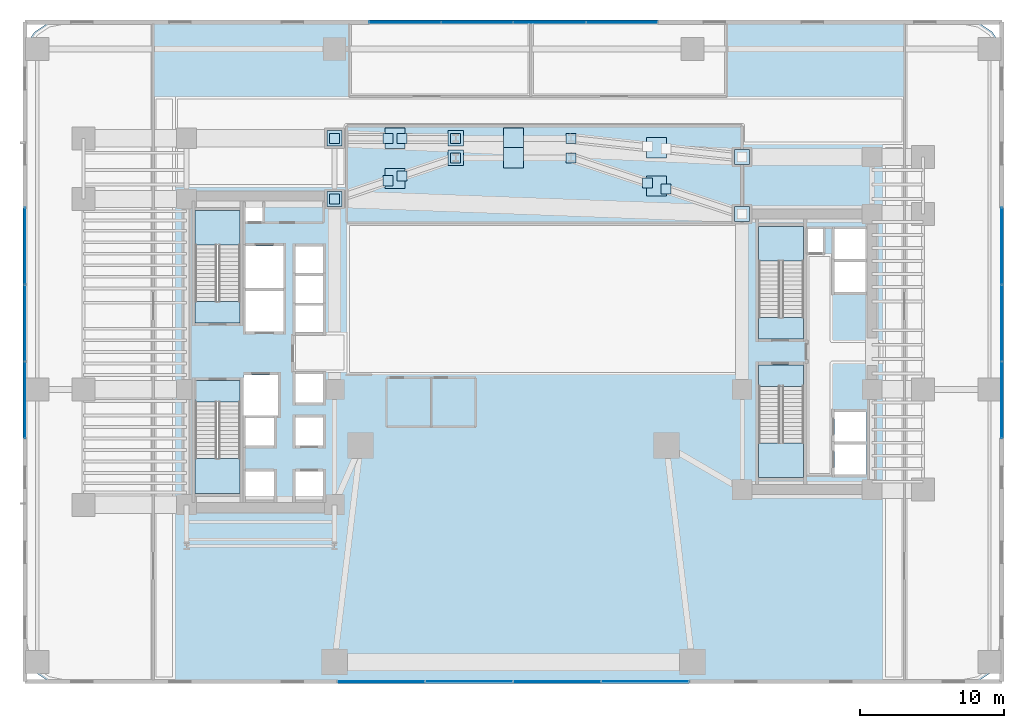
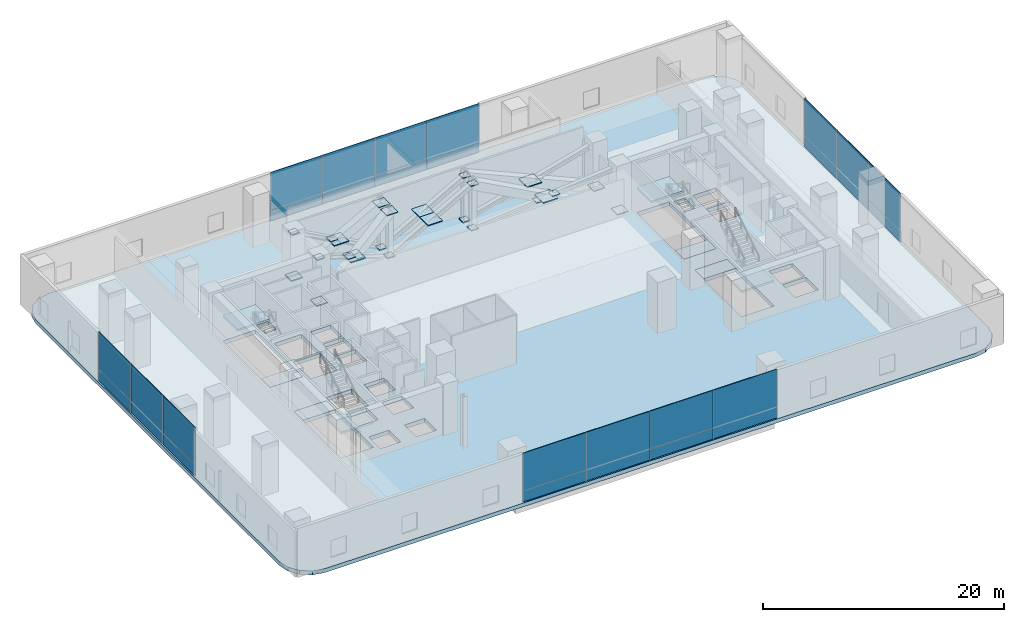
# One storey, part 25 of 41: 48 plates, 9 slabs, 8 elements without a shape of their own.
"""IFC4 building model written with IfcOpenShell, lengths in metres."""

from ifc_helpers import new_model, si_unit, direction, frame, origin, origin_2d, place, context, subcontext, project, spatial, polyline, rectangle, outline, extrude, source, transform, mapped, material, layer, layer_set, type_object, element, aggregate, save


model = new_model("IFC4")

# Units and contexts
model_context = context("Model", 3, precision=1e-05, world=origin(), true_north=direction((0.0, 1.0)))
body_context = subcontext(model_context, "Body", "Model", "MODEL_VIEW")
ifc_project = project(units=[si_unit("LENGTHUNIT", "METRE"), si_unit("AREAUNIT", "SQUARE_METRE"), si_unit("VOLUMEUNIT", "CUBIC_METRE"), si_unit("PLANEANGLEUNIT", "RADIAN"), si_unit("MASSUNIT", "GRAM", prefix="KILO")], contexts=[model_context])

# Site, building, storey
site_placement = place(None, origin())
site = spatial("IfcSite", under=ifc_project, at=site_placement, CompositionType="ELEMENT")
building_placement = place(site_placement, origin())
building = spatial("IfcBuilding", under=site, at=building_placement, Name="Valdorenza Pilgrim Sanctuary Tower", CompositionType="ELEMENT")
storey_placement = place(building_placement, frame((0.0, 0.0, 20.800048828125)))
storey = spatial("IfcBuildingStorey", under=building, at=storey_placement, Name="L04", CompositionType="ELEMENT", Elevation=20.800048828125)

# Stair, slab
ifc_material_1 = material(Name="Concrete C40/50", Category="concrete")
stair_type = type_object("IfcStairType", Name="STR-DOG-CORE", PredefinedType="HALF_TURN_STAIR", material=ifc_material_1)
stair_1_placement = place(storey_placement, origin())
stair_1 = element("IfcStair", 1, at=stair_1_placement, inside=storey, type_object=stair_type, Name="L04 ST-A1", PredefinedType="HALF_TURN_STAIR")
ifc_layer_1 = layer(ifc_material_1, 0.199951171875, Name="Concrete C40/50")
ifc_layer_set_1 = layer_set([ifc_layer_1], Name="Concrete C40/50")
slab_type_1 = type_object("IfcSlabType", Name="SLAB-STL-200", PredefinedType="LANDING", material=ifc_layer_set_1)
slab_1_placement = place(storey_placement, frame((0.0, 0.0, 2.39990234375)))
slab_1 = element("IfcSlab", 2, at=slab_1_placement, type_object=slab_type_1, Name="ST-A1 landing 1", PredefinedType="LANDING", context=body_context, shape_type="SweptSolid", body=[
    extrude(outline(polyline([(-18.93994140625, 7.39990234375), (-18.93994140625, 9.800048828125), (-22.050048828125, 9.800048828125), (-22.050048828125, 7.39990234375), (-18.93994140625, 7.39990234375)])), origin(), (0.0, 0.0, 1.0), 0.199951171875),
])
aggregate(stair_1, [slab_1])

stair_2_placement = place(storey_placement, origin())
stair_2 = element("IfcStair", 3, at=stair_2_placement, inside=storey, type_object=stair_type, Name="L04 ST-A2", PredefinedType="HALF_TURN_STAIR")
slab_2_placement = place(storey_placement, frame((0.0, 0.0, 2.39990234375)))
slab_2 = element("IfcSlab", 4, at=slab_2_placement, type_object=slab_type_1, Name="ST-A2 landing 1", PredefinedType="LANDING", context=body_context, shape_type="SweptSolid", body=[
    extrude(outline(polyline([(-22.050048828125, -7.39990234375), (-22.050048828125, -9.800048828125), (-18.93994140625, -9.800048828125), (-18.93994140625, -7.39990234375), (-22.050048828125, -7.39990234375)])), origin(), (0.0, 0.0, 1.0), 0.199951171875),
])
aggregate(stair_2, [slab_2])

stair_3_placement = place(storey_placement, origin())
stair_3 = element("IfcStair", 5, at=stair_3_placement, inside=storey, type_object=stair_type, Name="L04 ST-B1", PredefinedType="HALF_TURN_STAIR")
slab_3_placement = place(storey_placement, frame((0.0, 0.0, 2.39990234375)))
slab_3 = element("IfcSlab", 6, at=slab_3_placement, type_object=slab_type_1, Name="ST-B1 landing 1", PredefinedType="LANDING", context=body_context, shape_type="SweptSolid", body=[
    extrude(outline(polyline([(20.110107421875, 6.300048828125), (20.110107421875, 8.699951171875), (17.0, 8.699951171875), (17.0, 6.300048828125), (20.110107421875, 6.300048828125)])), origin(), (0.0, 0.0, 1.0), 0.199951171875),
])
aggregate(stair_3, [slab_3])

stair_4_placement = place(storey_placement, origin())
stair_4 = element("IfcStair", 7, at=stair_4_placement, inside=storey, type_object=stair_type, Name="L04 ST-B2", PredefinedType="HALF_TURN_STAIR")
slab_4_placement = place(storey_placement, frame((0.0, 0.0, 2.39990234375)))
slab_4 = element("IfcSlab", 8, at=slab_4_placement, type_object=slab_type_1, Name="ST-B2 landing 1", PredefinedType="LANDING", context=body_context, shape_type="SweptSolid", body=[
    extrude(outline(polyline([(17.0, -6.300048828125), (17.0, -8.699951171875), (20.110107421875, -8.699951171875), (20.110107421875, -6.300048828125), (17.0, -6.300048828125)])), origin(), (0.0, 0.0, 1.0), 0.199951171875),
])
aggregate(stair_4, [slab_4])

# Slabs
ifc_material_2 = material(Name="Concrete C50/60", Category="concrete")
ifc_layer_2 = layer(ifc_material_2, 0.39990234375, Name="Concrete C50/60")
ifc_layer_set_2 = layer_set([ifc_layer_2], Name="Concrete C50/60")
slab_type_2 = type_object("IfcSlabType", Name="SLAB-TRF-400", PredefinedType="FLOOR", material=ifc_layer_set_2)
slab_5_placement = place(storey_placement, frame((0.0, 0.0, -0.400146484375)))
element("IfcSlab", 9, at=slab_5_placement, inside=storey, type_object=slab_type_2, Name="L04 Structural Floor Slab 1", PredefinedType="FLOOR", context=body_context, shape_type="SweptSolid", body=[
    extrude(outline(polyline([(-34.0, 20.199951171875), (-33.786865234375, 21.271484375), (-33.179931640625, 22.179931640625), (-32.271484375, 22.786865234375), (-31.199951171875, 23.0), (31.199951171875, 23.0), (32.271484375, 22.786865234375), (33.179931640625, 22.179931640625), (33.786865234375, 21.271484375), (34.0, 20.199951171875), (34.0, -20.199951171875), (33.786865234375, -21.271484375), (33.179931640625, -22.179931640625), (32.271484375, -22.786865234375), (31.199951171875, -23.0), (-31.199951171875, -23.0), (-32.271484375, -22.786865234375), (-33.179931640625, -22.179931640625), (-33.786865234375, -21.271484375), (-34.0, -20.199951171875), (-34.0, 20.199951171875)]), holes=[polyline([(-16.60009765625, -10.25), (-16.60009765625, -8.300048828125), (-18.550048828125, -8.300048828125), (-18.550048828125, -10.25), (-16.60009765625, -10.25)]), polyline([(-22.050048828125, -9.800048828125), (-18.93994140625, -9.800048828125), (-18.93994140625, -3.485107421875), (-18.93994140625, -2.0), (-22.050048828125, -2.0), (-22.050048828125, -3.485107421875), (-22.050048828125, -9.800048828125)]), polyline([(-18.550048828125, -6.5), (-16.60009765625, -6.5), (-16.60009765625, -4.60009765625), (-18.550048828125, -4.60009765625), (-18.550048828125, -6.5)]), polyline([(-13.179931640625, -6.5), (-13.179931640625, -4.550048828125), (-15.10009765625, -4.550048828125), (-15.10009765625, -6.5), (-13.179931640625, -6.5)]), polyline([(-18.719970703125, -4.39990234375), (-16.300048828125, -4.39990234375), (-16.300048828125, -1.60009765625), (-18.719970703125, -1.60009765625), (-18.719970703125, -4.39990234375)]), polyline([(-13.179931640625, -3.5), (-13.179931640625, -1.550048828125), (-15.10009765625, -1.550048828125), (-15.10009765625, -3.5), (-13.179931640625, -3.5)]), polyline([(-22.050048828125, 2.0), (-18.93994140625, 2.0), (-18.93994140625, 3.485107421875), (-18.93994140625, 9.800048828125), (-22.050048828125, 9.800048828125), (-22.050048828125, 3.485107421875), (-22.050048828125, 2.0)]), polyline([(-18.550048828125, 1.39990234375), (-15.949951171875, 1.39990234375), (-15.949951171875, 4.22509765625), (-18.550048828125, 4.22509765625), (-18.550048828125, 1.39990234375)]), polyline([(-15.949951171875, 4.425048828125), (-15.949951171875, 7.35009765625), (-18.550048828125, 7.35009765625), (-18.550048828125, 4.425048828125), (-15.949951171875, 4.425048828125)]), polyline([(-15.10009765625, 5.449951171875), (-13.179931640625, 5.449951171875), (-13.179931640625, 7.300048828125), (-15.10009765625, 7.300048828125), (-15.10009765625, 5.449951171875)]), polyline([(-17.360107421875, 9.030029296875), (-17.360107421875, 10.35009765625), (-18.570068359375, 10.35009765625), (-18.570068359375, 9.030029296875), (-17.360107421875, 9.030029296875)]), polyline([(-15.10009765625, -10.25), (-13.179931640625, -10.25), (-13.179931640625, -8.300048828125), (-15.10009765625, -8.300048828125), (-15.10009765625, -10.25)]), polyline([(22.25, -8.5), (24.47998046875, -8.5), (24.47998046875, -6.425048828125), (22.25, -6.425048828125), (22.25, -8.5)]), polyline([(17.0, -2.385009765625), (17.0, -8.699951171875), (20.110107421875, -8.699951171875), (20.110107421875, -2.385009765625), (20.110107421875, -0.89990234375), (17.0, -0.89990234375), (17.0, -2.385009765625)]), polyline([(22.25, -6.22509765625), (24.47998046875, -6.22509765625), (24.47998046875, -4.14990234375), (22.25, -4.14990234375), (22.25, -6.22509765625)]), polyline([(17.0, 0.89990234375), (20.110107421875, 0.89990234375), (20.110107421875, 2.385009765625), (20.110107421875, 8.699951171875), (17.0, 8.699951171875), (17.0, 2.385009765625), (17.0, 0.89990234375)]), polyline([(-15.10009765625, 1.35009765625), (-13.179931640625, 1.35009765625), (-13.179931640625, 3.199951171875), (-15.10009765625, 3.199951171875), (-15.10009765625, 1.35009765625)]), polyline([(-15.10009765625, 3.39990234375), (-13.179931640625, 3.39990234375), (-13.179931640625, 5.25), (-15.10009765625, 5.25), (-15.10009765625, 3.39990234375)]), polyline([(22.25, 4.14990234375), (24.47998046875, 4.14990234375), (24.47998046875, 6.22509765625), (22.25, 6.22509765625), (22.25, 4.14990234375)]), polyline([(22.25, 6.425048828125), (24.47998046875, 6.425048828125), (24.47998046875, 8.5), (22.25, 8.5), (22.25, 6.425048828125)]), polyline([(20.409912109375, 6.860107421875), (21.489990234375, 6.860107421875), (21.489990234375, 8.52001953125), (20.409912109375, 8.52001953125), (20.409912109375, 6.860107421875)])]), origin(), (0.0, 0.0, 1.0), 0.400146484375),
])
slab_6_placement = place(storey_placement, frame((0.0, 0.0, -0.360107421875)))
element("IfcSlab", 10, at=slab_6_placement, inside=storey, type_object=slab_type_2, Name="L04 ST-A1 Structural Stair Landing Bearing Slab", PredefinedType="FLOOR", context=body_context, shape_type="SweptSolid", body=[
    extrude(outline(polyline([(-22.050048828125, 2.0), (-18.93994140625, 2.0), (-18.93994140625, 3.485107421875), (-22.050048828125, 3.485107421875), (-22.050048828125, 2.0)])), origin(), (0.0, 0.0, 1.0), 0.360107421875),
])
slab_7_placement = place(storey_placement, frame((0.0, 0.0, -0.360107421875)))
element("IfcSlab", 11, at=slab_7_placement, inside=storey, type_object=slab_type_2, Name="L04 ST-A2 Structural Stair Landing Bearing Slab", PredefinedType="FLOOR", context=body_context, shape_type="SweptSolid", body=[
    extrude(outline(polyline([(-22.050048828125, -3.485107421875), (-18.93994140625, -3.485107421875), (-18.93994140625, -2.0), (-22.050048828125, -2.0), (-22.050048828125, -3.485107421875)])), origin(), (0.0, 0.0, 1.0), 0.360107421875),
])
slab_8_placement = place(storey_placement, frame((0.0, 0.0, -0.360107421875)))
element("IfcSlab", 12, at=slab_8_placement, inside=storey, type_object=slab_type_2, Name="L04 ST-B1 Structural Stair Landing Bearing Slab", PredefinedType="FLOOR", context=body_context, shape_type="SweptSolid", body=[
    extrude(outline(polyline([(17.0, 0.89990234375), (20.110107421875, 0.89990234375), (20.110107421875, 2.385009765625), (17.0, 2.385009765625), (17.0, 0.89990234375)])), origin(), (0.0, 0.0, 1.0), 0.360107421875),
])
slab_9_placement = place(storey_placement, frame((0.0, 0.0, -0.360107421875)))
element("IfcSlab", 13, at=slab_9_placement, inside=storey, type_object=slab_type_2, Name="L04 ST-B2 Structural Stair Landing Bearing Slab", PredefinedType="FLOOR", context=body_context, shape_type="SweptSolid", body=[
    extrude(outline(polyline([(17.0, -2.385009765625), (20.110107421875, -2.385009765625), (20.110107421875, -0.89990234375), (17.0, -0.89990234375), (17.0, -2.385009765625)])), origin(), (0.0, 0.0, 1.0), 0.360107421875),
])

# Plates
ifc_material_3 = material(Name="Steel ASTM A572 Grade 42", Category="steel")
ifc_layer_3 = layer(ifc_material_3, 0.06005859375, Name="Steel ASTM A572 Grade 42")
ifc_layer_set_3 = layer_set([ifc_layer_3], Name="Steel ASTM A572 Grade 42")
plate_type_1 = type_object("IfcPlateType", Name="PLT-CAP-60", PredefinedType="SHEET", material=ifc_layer_set_3)
shared_shape_1 = source(origin(), body_context, "Body", "SweptSolid", [
    extrude(rectangle(XDim=1.050048828125, YDim=1.050048828125, at=origin_2d()), origin(), (0.0, 0.0, 1.0), 0.06005859375),
])
for number, where, z_axis, x_axis, name in (
    (14, (-12.39990234375, 10.60009765625, 0.119873046875), (0.0, 0.0, 1.0), (1.0, 0.0, 0.0), "L04 Transfer Truss Web Diagonal W1 End Connection Plate 1"),
    (15, (-4.0, 13.449951171875, 4.619873046875), (0.0, 0.0, 1.0), (1.0, 0.0, 0.0), "L04 Transfer Truss Web Diagonal W1 End Connection Plate 2"),
    (16, (15.85009765625, 9.550048828125, 0.119873046875), (0.0, 0.0, 1.0), (1.0, 0.0, 0.0), "L04 Transfer Truss Web Diagonal E1 End Connection Plate 1"),
    (17, (-12.39990234375, 14.800048828125, 0.119873046875), (0.0, 0.0, 1.0), (1.0, 0.0, 0.0), "L04 Transfer Truss Web Diagonal W2 End Connection Plate 1"),
    (18, (-4.0, 14.800048828125, 4.619873046875), (0.0, 0.0, 1.0), (1.0, 0.0, 0.0), "L04 Transfer Truss Web Diagonal W2 End Connection Plate 2"),
    (19, (15.85009765625, 13.5, 0.119873046875), (0.0, 0.0, 1.0), (1.0, 0.0, 0.0), "L04 Transfer Truss Web Diagonal E2 End Connection Plate 1"),
):
    element("IfcPlate", number, at=place(storey_placement, frame(where, z_axis=z_axis, x_axis=x_axis)), inside=storey, type_object=plate_type_1, Name=name, PredefinedType="SHEET", context=body_context, shape_type="MappedRepresentation", body=[
        mapped(shared_shape_1, transform((0.0, 0.0, 0.0), x_axis=(1.0, 0.0, 0.0), y_axis=(0.0, 1.0, 0.0), z_axis=(0.0, 0.0, 1.0), scale=1.0)),
    ])
ifc_layer_4 = layer(ifc_material_3, 0.090087890625, Name="Steel ASTM A572 Grade 42")
ifc_layer_set_4 = layer_set([ifc_layer_4], Name="Steel ASTM A572 Grade 42")
plate_type_2 = type_object("IfcPlateType", Name="PLT-GUS-90", PredefinedType="USERDEFINED", material=ifc_layer_set_4)
shared_shape_2 = source(origin(), body_context, "Body", "SweptSolid", [
    extrude(rectangle(XDim=1.39990234375, YDim=1.39990234375, at=origin_2d()), origin(), (0.0, 0.0, 1.0), 0.090087890625),
])
for number, where, z_axis, x_axis, name in (
    (20, (-8.199951171875, 12.02490234375, 2.35498046875), (0.0, 0.0, 1.0), (1.0, 0.0, 0.0), "Truss X-Brace Node Gusset Assembly TN-01 (MB-TRF04-DW1)"),
    (21, (0.0, 13.449951171875, 2.35498046875), (0.0, 0.0, 1.0), (1.0, 0.0, 0.0), "Truss Node Gusset Assembly TN-01 (MB-TRF04-DC1)"),
    (22, (9.925048828125, 11.5, 2.35498046875), (0.0, 0.0, 1.0), (1.0, 0.0, 0.0), "Truss X-Brace Node Gusset Assembly TN-01 (MB-TRF04-DE1)"),
    (23, (-8.199951171875, 14.800048828125, 2.35498046875), (0.0, 0.0, 1.0), (1.0, 0.0, 0.0), "Truss X-Brace Node Gusset Assembly TN-01 (MB-TRF04-DW2)"),
    (24, (0.0, 14.800048828125, 2.35498046875), (0.0, 0.0, 1.0), (1.0, 0.0, 0.0), "Truss Node Gusset Assembly TN-01 (MB-TRF04-DC2)"),
    (25, (9.925048828125, 14.14990234375, 2.35498046875), (0.0, 0.0, 1.0), (1.0, 0.0, 0.0), "Truss X-Brace Node Gusset Assembly TN-01 (MB-TRF04-DE2)"),
):
    element("IfcPlate", number, at=place(storey_placement, frame(where, z_axis=z_axis, x_axis=x_axis)), inside=storey, type_object=plate_type_2, Name=name, ObjectType="GUSSET PLATE", PredefinedType="USERDEFINED", context=body_context, shape_type="MappedRepresentation", body=[
        mapped(shared_shape_2, transform((0.0, 0.0, 0.0), x_axis=(1.0, 0.0, 0.0), y_axis=(0.0, 1.0, 0.0), z_axis=(0.0, 0.0, 1.0), scale=1.0)),
    ])
shared_shape_3 = source(origin(), body_context, "Body", "SweptSolid", [
    extrude(rectangle(XDim=0.699951171875, YDim=0.699951171875, at=origin_2d()), origin(), (0.0, 0.0, 1.0), 0.06005859375),
])
for number, where, z_axis, x_axis, name in (
    (26, (-12.39990234375, 10.60009765625, 4.619873046875), (0.0, 0.0, 1.0), (1.0, 0.0, 0.0), "L04 Transfer Counter-Diagonal W1 Lower Segment End Connection Plate 1"),
    (27, (-8.68115234375, 11.86181640625, 2.627685546875), (0.0, 0.0, 1.0), (1.0, 0.0, 0.0), "L04 Transfer Counter-Diagonal W1 Lower Segment End Connection Plate 2"),
    (28, (-7.718994140625, 12.188232421875, 2.1123046875), (0.0, 0.0, 1.0), (1.0, 0.0, 0.0), "L04 Transfer Counter-Diagonal W1 Upper Segment End Connection Plate 1"),
    (29, (-4.0, 13.449951171875, 0.119873046875), (0.0, 0.0, 1.0), (1.0, 0.0, 0.0), "L04 Transfer Counter-Diagonal W1 Upper Segment End Connection Plate 2"),
    (30, (4.0, 13.449951171875, 4.619873046875), (0.0, 0.0, 1.0), (1.0, 0.0, 0.0), "L04 Transfer Truss Central Web 1 End Connection Plate 2"),
    (31, (10.565673828125, 11.289306640625, 2.61328125), (0.0, 0.0, 1.0), (1.0, 0.0, 0.0), "L04 Transfer Counter-Diagonal E1 Lower Segment End Connection Plate 2"),
    (32, (9.284423828125, 11.710693359375, 2.126708984375), (0.0, 0.0, 1.0), (1.0, 0.0, 0.0), "L04 Transfer Counter-Diagonal E1 Upper Segment End Connection Plate 1"),
    (33, (4.0, 13.449951171875, 0.119873046875), (0.0, 0.0, 1.0), (1.0, 0.0, 0.0), "L04 Transfer Counter-Diagonal E1 Upper Segment End Connection Plate 2"),
    (34, (-12.39990234375, 14.800048828125, 4.619873046875), (0.0, 0.0, 1.0), (1.0, 0.0, 0.0), "L04 Transfer Counter-Diagonal W2 Lower Segment End Connection Plate 1"),
    (35, (-8.68701171875, 14.800048828125, 2.630859375), (0.0, 0.0, 1.0), (1.0, 0.0, 0.0), "L04 Transfer Counter-Diagonal W2 Lower Segment End Connection Plate 2"),
    (36, (-7.712890625, 14.800048828125, 2.109130859375), (0.0, 0.0, 1.0), (1.0, 0.0, 0.0), "L04 Transfer Counter-Diagonal W2 Upper Segment End Connection Plate 1"),
    (37, (-4.0, 14.800048828125, 0.119873046875), (0.0, 0.0, 1.0), (1.0, 0.0, 0.0), "L04 Transfer Counter-Diagonal W2 Upper Segment End Connection Plate 2"),
    (38, (4.0, 14.800048828125, 4.619873046875), (0.0, 0.0, 1.0), (1.0, 0.0, 0.0), "L04 Transfer Truss Central Web 2 End Connection Plate 2"),
    (39, (4.0, 14.800048828125, 0.119873046875), (0.0, 0.0, 1.0), (1.0, 0.0, 0.0), "L04 Transfer Counter-Diagonal E2 Upper Segment End Connection Plate 2"),
):
    element("IfcPlate", number, at=place(storey_placement, frame(where, z_axis=z_axis, x_axis=x_axis)), inside=storey, type_object=plate_type_1, Name=name, PredefinedType="SHEET", context=body_context, shape_type="MappedRepresentation", body=[
        mapped(shared_shape_3, transform((0.0, 0.0, 0.0), x_axis=(1.0, 0.0, 0.0), y_axis=(0.0, 1.0, 0.0), z_axis=(0.0, 0.0, 1.0), scale=1.0)),
    ])

# Curtain wall, plates
ifc_material_4 = material(Name="Curtain-wall IGU glazing", Category="glass")
curtain_wall_type = type_object("IfcCurtainWallType", Name="CW-SYS-01", PredefinedType="NOTDEFINED", material=ifc_material_4)
curtain_wall_1_placement = place(storey_placement, origin())
curtain_wall_1 = element("IfcCurtainWall", 40, at=curtain_wall_1_placement, inside=storey, type_object=curtain_wall_type, Name="L04 Curtain Wall CW-POD-L04-WW", PredefinedType="NOTDEFINED")
ifc_material_5 = material(Name="Honed travertine limestone", Category="masonry")
ifc_layer_5 = layer(ifc_material_5, 0.050048828125, Name="Honed travertine limestone")
ifc_layer_set_5 = layer_set([ifc_layer_5], Name="Honed travertine limestone")
plate_type_3 = type_object("IfcPlateType", Name="CW-SPN-TRV", PredefinedType="USERDEFINED", material=ifc_layer_set_5)
shared_shape_4 = source(origin(), body_context, "Body", "SweptSolid", [
    extrude(rectangle(XDim=5.313232421875, YDim=0.06005859375, at=origin_2d()), origin(), (0.0, 0.0, 1.0), 1.10009765625),
])
plate_1_placement = place(storey_placement, frame((-33.85009765625, -3.333251953125, 0.010009765625), z_axis=(0.0, 0.0, 1.0), x_axis=(0.0, 1.0, 0.0)))
plate_1 = element("IfcPlate", 41, at=plate_1_placement, type_object=plate_type_3, Name="CW-POD-L04-WW Travertine Spandrel 1", ObjectType="SPANDREL", PredefinedType="USERDEFINED", context=body_context, shape_type="MappedRepresentation", body=[
    mapped(shared_shape_4, transform((0.0, 0.0, 0.0), x_axis=(1.0, 0.0, 0.0), y_axis=(0.0, 1.0, 0.0), z_axis=(0.0, 0.0, 1.0), scale=1.0)),
])
plate_2_placement = place(storey_placement, frame((-33.85009765625, 7.333251953125, 0.010009765625), z_axis=(0.0, 0.0, 1.0), x_axis=(0.0, 1.0, 0.0)))
plate_2 = element("IfcPlate", 42, at=plate_2_placement, type_object=plate_type_3, Name="CW-POD-L04-WW Travertine Spandrel 3", ObjectType="SPANDREL", PredefinedType="USERDEFINED", context=body_context, shape_type="MappedRepresentation", body=[
    mapped(shared_shape_4, transform((0.0, 0.0, 0.0), x_axis=(1.0, 0.0, 0.0), y_axis=(0.0, 1.0, 0.0), z_axis=(0.0, 0.0, 1.0), scale=1.0)),
])

curtain_wall_2_placement = place(storey_placement, origin())
curtain_wall_2 = element("IfcCurtainWall", 43, at=curtain_wall_2_placement, inside=storey, type_object=curtain_wall_type, Name="L04 Curtain Wall CW-POD-L04-EE", PredefinedType="NOTDEFINED")
plate_3_placement = place(storey_placement, frame((33.85009765625, -3.333251953125, 0.010009765625), z_axis=(0.0, 0.0, 1.0), x_axis=(0.0, 1.0, 0.0)))
plate_3 = element("IfcPlate", 44, at=plate_3_placement, type_object=plate_type_3, Name="CW-POD-L04-EE Travertine Spandrel 1", ObjectType="SPANDREL", PredefinedType="USERDEFINED", context=body_context, shape_type="MappedRepresentation", body=[
    mapped(shared_shape_4, transform((0.0, 0.0, 0.0), x_axis=(1.0, 0.0, 0.0), y_axis=(0.0, 1.0, 0.0), z_axis=(0.0, 0.0, 1.0), scale=1.0)),
])
plate_4_placement = place(storey_placement, frame((33.85009765625, 7.333251953125, 0.010009765625), z_axis=(0.0, 0.0, 1.0), x_axis=(0.0, 1.0, 0.0)))
plate_4 = element("IfcPlate", 45, at=plate_4_placement, type_object=plate_type_3, Name="CW-POD-L04-EE Travertine Spandrel 3", ObjectType="SPANDREL", PredefinedType="USERDEFINED", context=body_context, shape_type="MappedRepresentation", body=[
    mapped(shared_shape_4, transform((0.0, 0.0, 0.0), x_axis=(1.0, 0.0, 0.0), y_axis=(0.0, 1.0, 0.0), z_axis=(0.0, 0.0, 1.0), scale=1.0)),
])

curtain_wall_3_placement = place(storey_placement, origin())
curtain_wall_3 = element("IfcCurtainWall", 46, at=curtain_wall_3_placement, inside=storey, type_object=curtain_wall_type, Name="L04 Curtain Wall CW-POD-L04-NN", PredefinedType="NOTDEFINED")
shared_shape_5 = source(origin(), body_context, "Body", "SweptSolid", [
    extrude(rectangle(XDim=4.97998046875, YDim=0.06005859375, at=origin_2d()), origin(), (0.0, 0.0, 1.0), 1.10009765625),
])
plate_5_placement = place(storey_placement, frame((-7.5, 22.85009765625, 0.010009765625), z_axis=(0.0, 0.0, 1.0), x_axis=(1.0, 0.0, 0.0)))
plate_5 = element("IfcPlate", 47, at=plate_5_placement, type_object=plate_type_3, Name="CW-POD-L04-NN Travertine Spandrel 1", ObjectType="SPANDREL", PredefinedType="USERDEFINED", context=body_context, shape_type="MappedRepresentation", body=[
    mapped(shared_shape_5, transform((0.0, 0.0, 0.0), x_axis=(1.0, 0.0, 0.0), y_axis=(0.0, 1.0, 0.0), z_axis=(0.0, 0.0, 1.0), scale=1.0)),
])
plate_6_placement = place(storey_placement, frame((2.5, 22.85009765625, 0.010009765625), z_axis=(0.0, 0.0, 1.0), x_axis=(1.0, 0.0, 0.0)))
plate_6 = element("IfcPlate", 48, at=plate_6_placement, type_object=plate_type_3, Name="CW-POD-L04-NN Travertine Spandrel 3", ObjectType="SPANDREL", PredefinedType="USERDEFINED", context=body_context, shape_type="MappedRepresentation", body=[
    mapped(shared_shape_5, transform((0.0, 0.0, 0.0), x_axis=(1.0, 0.0, 0.0), y_axis=(0.0, 1.0, 0.0), z_axis=(0.0, 0.0, 1.0), scale=1.0)),
])

curtain_wall_4_placement = place(storey_placement, origin())
curtain_wall_4 = element("IfcCurtainWall", 49, at=curtain_wall_4_placement, inside=storey, type_object=curtain_wall_type, Name="L04 Curtain Wall CW-POD-L04-ARCH-CROWN", PredefinedType="NOTDEFINED")
shared_shape_6 = source(origin(), body_context, "Body", "SweptSolid", [
    extrude(rectangle(XDim=6.080078125, YDim=0.06005859375, at=origin_2d()), origin(), (0.0, 0.0, 1.0), 1.10009765625),
])
plate_7_placement = place(storey_placement, frame((-9.14990234375, -22.85009765625, 0.010009765625), z_axis=(0.0, 0.0, 1.0), x_axis=(1.0, 0.0, 0.0)))
plate_7 = element("IfcPlate", 50, at=plate_7_placement, type_object=plate_type_3, Name="CW-POD-L04-ARCH-CROWN Travertine Spandrel 1", ObjectType="SPANDREL", PredefinedType="USERDEFINED", context=body_context, shape_type="MappedRepresentation", body=[
    mapped(shared_shape_6, transform((0.0, 0.0, 0.0), x_axis=(1.0, 0.0, 0.0), y_axis=(0.0, 1.0, 0.0), z_axis=(0.0, 0.0, 1.0), scale=1.0)),
])
plate_8_placement = place(storey_placement, frame((3.050048828125, -22.85009765625, 0.010009765625), z_axis=(0.0, 0.0, 1.0), x_axis=(1.0, 0.0, 0.0)))
plate_8 = element("IfcPlate", 51, at=plate_8_placement, type_object=plate_type_3, Name="CW-POD-L04-ARCH-CROWN Travertine Spandrel 3", ObjectType="SPANDREL", PredefinedType="USERDEFINED", context=body_context, shape_type="MappedRepresentation", body=[
    mapped(shared_shape_6, transform((0.0, 0.0, 0.0), x_axis=(1.0, 0.0, 0.0), y_axis=(0.0, 1.0, 0.0), z_axis=(0.0, 0.0, 1.0), scale=1.0)),
])
ifc_material_6 = material(Name="Ceramic-fritted low-E IGU glazing", Category="glass")
ifc_layer_6 = layer(ifc_material_6, 0.035888671875, Name="Ceramic-fritted low-E IGU glazing")
ifc_layer_set_6 = layer_set([ifc_layer_6], Name="Ceramic-fritted low-E IGU glazing")
plate_type_4 = type_object("IfcPlateType", Name="CW-GLZ-IGU", PredefinedType="USERDEFINED", material=ifc_layer_set_6)
shared_shape_7 = source(origin(), body_context, "Body", "SweptSolid", [
    extrude(rectangle(XDim=6.080078125, YDim=0.050048828125, at=origin_2d()), origin(), (0.0, 0.0, 1.0), 3.820068359375),
])
plate_9_placement = place(storey_placement, frame((-9.14990234375, -22.85009765625, 1.1298828125), z_axis=(0.0, 0.0, 1.0), x_axis=(1.0, 0.0, 0.0)))
plate_9 = element("IfcPlate", 52, at=plate_9_placement, type_object=plate_type_4, Name="CW-POD-L04-ARCH-CROWN Facade Panel 1", ObjectType="GLAZING", PredefinedType="USERDEFINED", context=body_context, shape_type="MappedRepresentation", body=[
    mapped(shared_shape_7, transform((0.0, 0.0, 0.0), x_axis=(1.0, 0.0, 0.0), y_axis=(0.0, 1.0, 0.0), z_axis=(0.0, 0.0, 1.0), scale=1.0)),
])
plate_10_placement = place(storey_placement, frame((3.050048828125, -22.85009765625, 1.1298828125), z_axis=(0.0, 0.0, 1.0), x_axis=(1.0, 0.0, 0.0)))
plate_10 = element("IfcPlate", 53, at=plate_10_placement, type_object=plate_type_4, Name="CW-POD-L04-ARCH-CROWN Facade Panel 3", ObjectType="GLAZING", PredefinedType="USERDEFINED", context=body_context, shape_type="MappedRepresentation", body=[
    mapped(shared_shape_7, transform((0.0, 0.0, 0.0), x_axis=(1.0, 0.0, 0.0), y_axis=(0.0, 1.0, 0.0), z_axis=(0.0, 0.0, 1.0), scale=1.0)),
])
shared_shape_8 = source(origin(), body_context, "Body", "SweptSolid", [
    extrude(rectangle(XDim=6.080078125, YDim=0.050048828125, at=origin_2d()), origin(), (0.0, 0.0, 1.0), 4.93994140625),
])
plate_11_placement = place(storey_placement, frame((-3.050048828125, -22.85009765625, 0.010009765625), z_axis=(0.0, 0.0, 1.0), x_axis=(1.0, 0.0, 0.0)))
plate_11 = element("IfcPlate", 54, at=plate_11_placement, type_object=plate_type_4, Name="CW-POD-L04-ARCH-CROWN Full-Height Facade Panel 2", ObjectType="GLAZING", PredefinedType="USERDEFINED", context=body_context, shape_type="MappedRepresentation", body=[
    mapped(shared_shape_8, transform((0.0, 0.0, 0.0), x_axis=(1.0, 0.0, 0.0), y_axis=(0.0, 1.0, 0.0), z_axis=(0.0, 0.0, 1.0), scale=1.0)),
])
plate_12_placement = place(storey_placement, frame((9.14990234375, -22.85009765625, 0.010009765625), z_axis=(0.0, 0.0, 1.0), x_axis=(1.0, 0.0, 0.0)))
plate_12 = element("IfcPlate", 55, at=plate_12_placement, type_object=plate_type_4, Name="CW-POD-L04-ARCH-CROWN Full-Height Facade Panel 4", ObjectType="GLAZING", PredefinedType="USERDEFINED", context=body_context, shape_type="MappedRepresentation", body=[
    mapped(shared_shape_8, transform((0.0, 0.0, 0.0), x_axis=(1.0, 0.0, 0.0), y_axis=(0.0, 1.0, 0.0), z_axis=(0.0, 0.0, 1.0), scale=1.0)),
])
aggregate(curtain_wall_4, [plate_7, plate_9, plate_11, plate_8, plate_10, plate_12])

# Plate
shared_shape_9 = source(origin(), body_context, "Body", "SweptSolid", [
    extrude(rectangle(XDim=5.313232421875, YDim=0.050048828125, at=origin_2d()), origin(), (0.0, 0.0, 1.0), 3.820068359375),
])
plate_13_placement = place(storey_placement, frame((-33.85009765625, -3.333251953125, 1.1298828125), z_axis=(0.0, 0.0, 1.0), x_axis=(0.0, 1.0, 0.0)))
plate_13 = element("IfcPlate", 56, at=plate_13_placement, type_object=plate_type_4, Name="CW-POD-L04-WW Facade Panel 1", ObjectType="GLAZING", PredefinedType="USERDEFINED", context=body_context, shape_type="MappedRepresentation", body=[
    mapped(shared_shape_9, transform((0.0, 0.0, 0.0), x_axis=(1.0, 0.0, 0.0), y_axis=(0.0, 1.0, 0.0), z_axis=(0.0, 0.0, 1.0), scale=1.0)),
])

plate_14_placement = place(storey_placement, frame((-33.85009765625, 7.333251953125, 1.1298828125), z_axis=(0.0, 0.0, 1.0), x_axis=(0.0, 1.0, 0.0)))
plate_14 = element("IfcPlate", 57, at=plate_14_placement, type_object=plate_type_4, Name="CW-POD-L04-WW Facade Panel 3", ObjectType="GLAZING", PredefinedType="USERDEFINED", context=body_context, shape_type="MappedRepresentation", body=[
    mapped(shared_shape_9, transform((0.0, 0.0, 0.0), x_axis=(1.0, 0.0, 0.0), y_axis=(0.0, 1.0, 0.0), z_axis=(0.0, 0.0, 1.0), scale=1.0)),
])

plate_15_placement = place(storey_placement, frame((33.85009765625, -3.333251953125, 1.1298828125), z_axis=(0.0, 0.0, 1.0), x_axis=(0.0, 1.0, 0.0)))
plate_15 = element("IfcPlate", 58, at=plate_15_placement, type_object=plate_type_4, Name="CW-POD-L04-EE Facade Panel 1", ObjectType="GLAZING", PredefinedType="USERDEFINED", context=body_context, shape_type="MappedRepresentation", body=[
    mapped(shared_shape_9, transform((0.0, 0.0, 0.0), x_axis=(1.0, 0.0, 0.0), y_axis=(0.0, 1.0, 0.0), z_axis=(0.0, 0.0, 1.0), scale=1.0)),
])

plate_16_placement = place(storey_placement, frame((33.85009765625, 7.333251953125, 1.1298828125), z_axis=(0.0, 0.0, 1.0), x_axis=(0.0, 1.0, 0.0)))
plate_16 = element("IfcPlate", 59, at=plate_16_placement, type_object=plate_type_4, Name="CW-POD-L04-EE Facade Panel 3", ObjectType="GLAZING", PredefinedType="USERDEFINED", context=body_context, shape_type="MappedRepresentation", body=[
    mapped(shared_shape_9, transform((0.0, 0.0, 0.0), x_axis=(1.0, 0.0, 0.0), y_axis=(0.0, 1.0, 0.0), z_axis=(0.0, 0.0, 1.0), scale=1.0)),
])

shared_shape_10 = source(origin(), body_context, "Body", "SweptSolid", [
    extrude(rectangle(XDim=5.313232421875, YDim=0.050048828125, at=origin_2d()), origin(), (0.0, 0.0, 1.0), 4.93994140625),
])
plate_17_placement = place(storey_placement, frame((-33.85009765625, 2.0, 0.010009765625), z_axis=(0.0, 0.0, 1.0), x_axis=(0.0, 1.0, 0.0)))
plate_17 = element("IfcPlate", 60, at=plate_17_placement, type_object=plate_type_4, Name="CW-POD-L04-WW Full-Height Facade Panel 2", ObjectType="GLAZING", PredefinedType="USERDEFINED", context=body_context, shape_type="MappedRepresentation", body=[
    mapped(shared_shape_10, transform((0.0, 0.0, 0.0), x_axis=(1.0, 0.0, 0.0), y_axis=(0.0, 1.0, 0.0), z_axis=(0.0, 0.0, 1.0), scale=1.0)),
])

aggregate(curtain_wall_1, [plate_1, plate_13, plate_17, plate_2, plate_14])

plate_18_placement = place(storey_placement, frame((33.85009765625, 2.0, 0.010009765625), z_axis=(0.0, 0.0, 1.0), x_axis=(0.0, 1.0, 0.0)))
plate_18 = element("IfcPlate", 61, at=plate_18_placement, type_object=plate_type_4, Name="CW-POD-L04-EE Full-Height Facade Panel 2", ObjectType="GLAZING", PredefinedType="USERDEFINED", context=body_context, shape_type="MappedRepresentation", body=[
    mapped(shared_shape_10, transform((0.0, 0.0, 0.0), x_axis=(1.0, 0.0, 0.0), y_axis=(0.0, 1.0, 0.0), z_axis=(0.0, 0.0, 1.0), scale=1.0)),
])

aggregate(curtain_wall_2, [plate_3, plate_15, plate_18, plate_4, plate_16])

shared_shape_11 = source(origin(), body_context, "Body", "SweptSolid", [
    extrude(rectangle(XDim=4.97998046875, YDim=0.050048828125, at=origin_2d()), origin(), (0.0, 0.0, 1.0), 3.820068359375),
])
plate_19_placement = place(storey_placement, frame((-7.5, 22.85009765625, 1.1298828125), z_axis=(0.0, 0.0, 1.0), x_axis=(1.0, 0.0, 0.0)))
plate_19 = element("IfcPlate", 62, at=plate_19_placement, type_object=plate_type_4, Name="CW-POD-L04-NN Facade Panel 1", ObjectType="GLAZING", PredefinedType="USERDEFINED", context=body_context, shape_type="MappedRepresentation", body=[
    mapped(shared_shape_11, transform((0.0, 0.0, 0.0), x_axis=(1.0, 0.0, 0.0), y_axis=(0.0, 1.0, 0.0), z_axis=(0.0, 0.0, 1.0), scale=1.0)),
])

plate_20_placement = place(storey_placement, frame((2.5, 22.85009765625, 1.1298828125), z_axis=(0.0, 0.0, 1.0), x_axis=(1.0, 0.0, 0.0)))
plate_20 = element("IfcPlate", 63, at=plate_20_placement, type_object=plate_type_4, Name="CW-POD-L04-NN Facade Panel 3", ObjectType="GLAZING", PredefinedType="USERDEFINED", context=body_context, shape_type="MappedRepresentation", body=[
    mapped(shared_shape_11, transform((0.0, 0.0, 0.0), x_axis=(1.0, 0.0, 0.0), y_axis=(0.0, 1.0, 0.0), z_axis=(0.0, 0.0, 1.0), scale=1.0)),
])

shared_shape_12 = source(origin(), body_context, "Body", "SweptSolid", [
    extrude(rectangle(XDim=4.97998046875, YDim=0.050048828125, at=origin_2d()), origin(), (0.0, 0.0, 1.0), 4.93994140625),
])
plate_21_placement = place(storey_placement, frame((-2.5, 22.85009765625, 0.010009765625), z_axis=(0.0, 0.0, 1.0), x_axis=(1.0, 0.0, 0.0)))
plate_21 = element("IfcPlate", 64, at=plate_21_placement, type_object=plate_type_4, Name="CW-POD-L04-NN Full-Height Facade Panel 2", ObjectType="GLAZING", PredefinedType="USERDEFINED", context=body_context, shape_type="MappedRepresentation", body=[
    mapped(shared_shape_12, transform((0.0, 0.0, 0.0), x_axis=(1.0, 0.0, 0.0), y_axis=(0.0, 1.0, 0.0), z_axis=(0.0, 0.0, 1.0), scale=1.0)),
])

plate_22_placement = place(storey_placement, frame((7.5, 22.85009765625, 0.010009765625), z_axis=(0.0, 0.0, 1.0), x_axis=(1.0, 0.0, 0.0)))
plate_22 = element("IfcPlate", 65, at=plate_22_placement, type_object=plate_type_4, Name="CW-POD-L04-NN Full-Height Facade Panel 4", ObjectType="GLAZING", PredefinedType="USERDEFINED", context=body_context, shape_type="MappedRepresentation", body=[
    mapped(shared_shape_12, transform((0.0, 0.0, 0.0), x_axis=(1.0, 0.0, 0.0), y_axis=(0.0, 1.0, 0.0), z_axis=(0.0, 0.0, 1.0), scale=1.0)),
])

aggregate(curtain_wall_3, [plate_5, plate_19, plate_21, plate_6, plate_20, plate_22])

save(model, "model.ifc")
